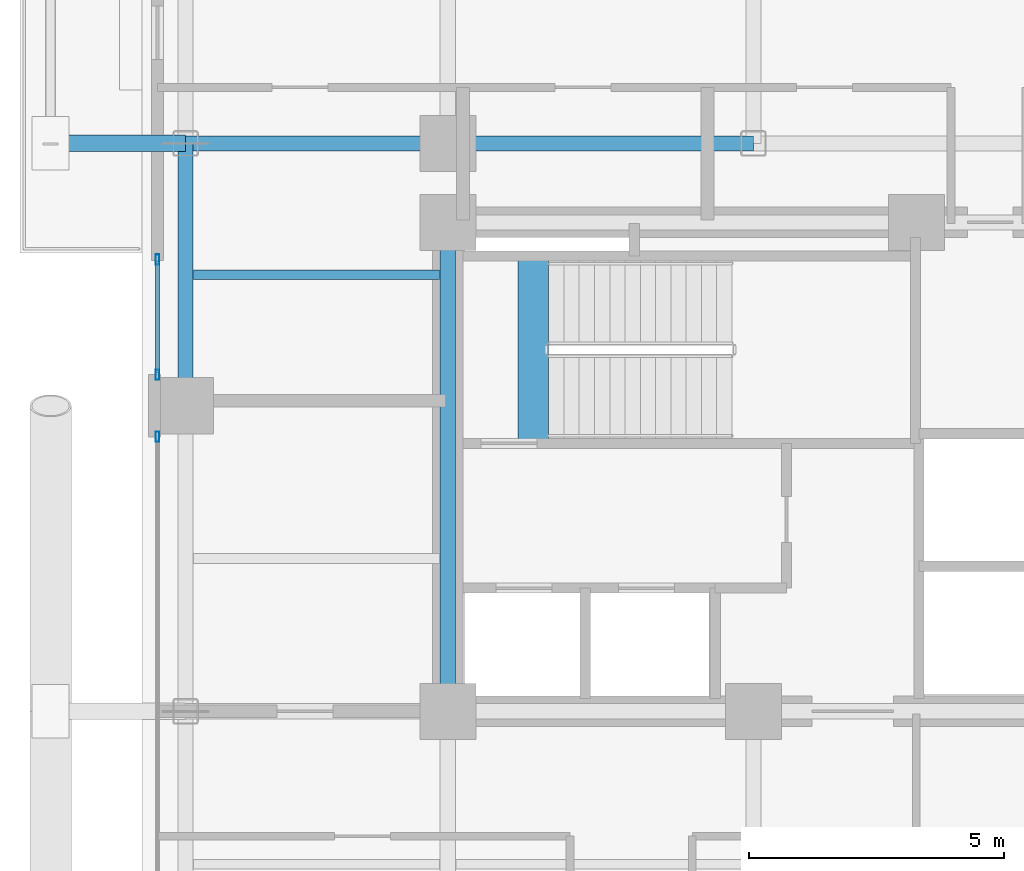
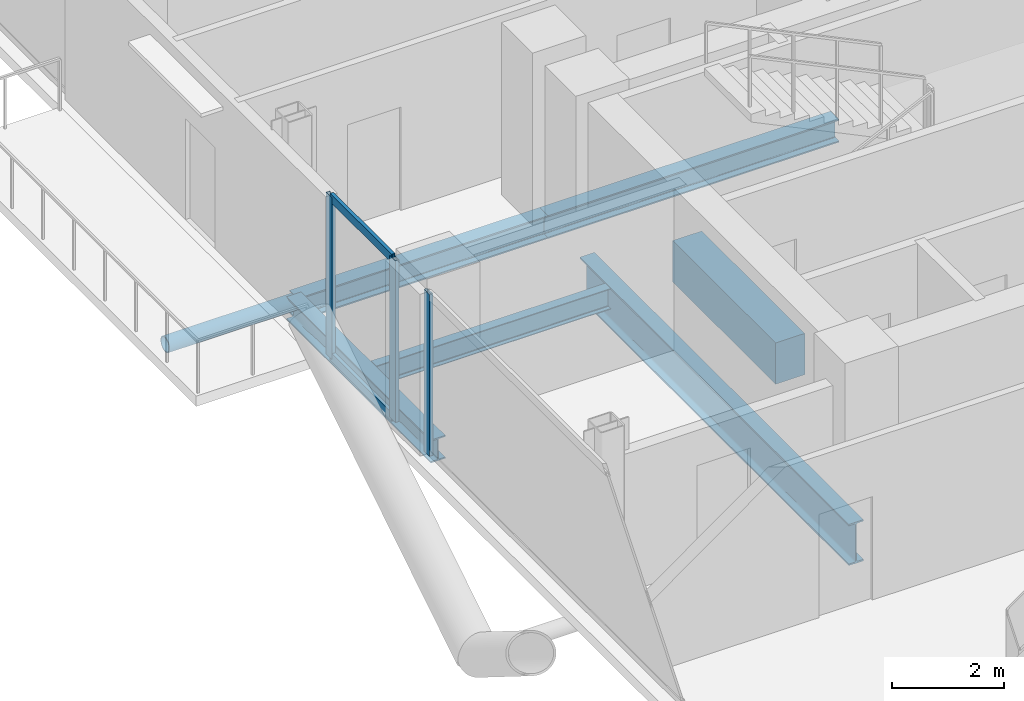
# One storey, part 7 of 28: 6 beams, 6 members, 2 elements without a shape of their own.
"""IFC4 building model written with IfcOpenShell, lengths in metres."""

from ifc_helpers import new_model, si_unit, direction, frame, origin, origin_2d, place, context, subcontext, project, spatial, rectangle, hollow_rectangle, hollow_circle, i_section, extrude, material, layer, layer_set, material_profile, profile_set, type_object, element, aggregate, save


model = new_model("IFC4")

# Units and contexts
model_context = context("Model", 3, precision=1e-05, world=origin(), true_north=direction((0.0, 1.0)))
body_context = subcontext(model_context, "Body", "Model", "MODEL_VIEW")
ifc_project = project(units=[si_unit("LENGTHUNIT", "METRE"), si_unit("AREAUNIT", "SQUARE_METRE"), si_unit("VOLUMEUNIT", "CUBIC_METRE"), si_unit("PLANEANGLEUNIT", "RADIAN"), si_unit("MASSUNIT", "GRAM", prefix="KILO"), si_unit("THERMODYNAMICTEMPERATUREUNIT", "KELVIN"), si_unit("POWERUNIT", "WATT")], contexts=[model_context])

# Site, building, storey
site_placement = place(None, origin())
site = spatial("IfcSite", under=ifc_project, at=site_placement, CompositionType="ELEMENT")
building_placement = place(site_placement, origin())
building = spatial("IfcBuilding", under=site, at=building_placement, Name="Svarakhadi Broadcast Tower", CompositionType="ELEMENT")
storey_placement = place(building_placement, frame((0.0, 0.0, 134.39990234375)))
storey = spatial("IfcBuildingStorey", under=building, at=storey_placement, Name="L32", CompositionType="ELEMENT", Elevation=134.39990234375)

# Beam
ifc_material_1 = material(Name="Steel S355J2 (IS 2062 E350C)", Category="steel")
ifc_material_profile_1 = material_profile(ifc_material_1, i_section(OverallWidth=0.18994140625, OverallDepth=0.449951171875, WebThickness=0.009521484375, FlangeThickness=0.0146484375, FilletRadius=0.02099609375, at=origin_2d()), Name="NPB 450x190x78")
ifc_profile_set_1 = profile_set([ifc_material_profile_1], Name="Steel S355J2 (IS 2062 E350C)")
beam_type_1 = type_object("IfcBeamType", Name="Beam_NPB450", PredefinedType="BEAM", material=ifc_profile_set_1)
beam_1_placement = place(storey_placement, frame((1.010009765625, 26.574951171875, -0.449951171875), z_axis=(1.0, 0.0, 0.0), x_axis=(0.0, 1.0, 0.0)))
element("IfcBeam", 1, at=beam_1_placement, inside=storey, type_object=beam_type_1, Name="L32 Secondary Composite Beam SB004", PredefinedType="BEAM", context=body_context, shape_type="SweptSolid", body=[
    extrude(i_section(OverallWidth=0.18994140625, OverallDepth=0.449951171875, WebThickness=0.009521484375, FlangeThickness=0.0146484375, FilletRadius=0.02099609375, at=origin_2d()), origin(), (0.0, 0.0, 1.0), 4.830078125),
])

# Curtain wall, member
ifc_material_2 = material(Name="Anodised Bronze Aluminium AA 6063-T6", Category="aluminium")
ifc_layer = layer(ifc_material_2, 0.199951171875)
ifc_layer_set = layer_set([ifc_layer], Name="Anodised Bronze Aluminium AA 6063-T6")
curtain_wall_type = type_object("IfcCurtainWallType", Name="CW_Sys_03", PredefinedType="NOTDEFINED", material=ifc_layer_set)
curtain_wall_1_placement = place(storey_placement, origin())
curtain_wall_1 = element("IfcCurtainWall", 2, at=curtain_wall_1_placement, inside=storey, type_object=curtain_wall_type, Name="L32 West Curtain Wall 02 Bay 2", PredefinedType="NOTDEFINED")
ifc_material_profile_2 = material_profile(ifc_material_2, hollow_rectangle(XDim=0.074951171875, YDim=0.199951171875, WallThickness=0.005615234375, at=origin_2d()), Name="ALU MULLION 200x75x6")
ifc_profile_set_2 = profile_set([ifc_material_profile_2], Name="Anodised Bronze Aluminium AA 6063-T6")
member_type_1 = type_object("IfcMemberType", Name="CW_Sys_03_Mul", PredefinedType="MULLION", material=ifc_profile_set_2)
member_1_placement = place(storey_placement, frame((0.300048828125, 23.392578125, 0.0), z_axis=(0.0, 0.0, 1.0), x_axis=(-1.0, 0.0, 0.0)))
member_1 = element("IfcMember", 3, at=member_1_placement, type_object=member_type_1, Name="CW-03 mullion 2", PredefinedType="MULLION", context=body_context, shape_type="SweptSolid", body=[
    extrude(hollow_rectangle(XDim=0.074951171875, YDim=0.199951171875, WallThickness=0.005615234375, at=origin_2d()), origin(), (0.0, 0.0, 1.0), 3.525146484375),
])
aggregate(curtain_wall_1, [member_1])

# Curtain wall, members
curtain_wall_2_placement = place(storey_placement, origin())
curtain_wall_2 = element("IfcCurtainWall", 4, at=curtain_wall_2_placement, inside=storey, type_object=curtain_wall_type, Name="L32 West Curtain Wall 02 Bay 3", PredefinedType="NOTDEFINED")
member_2_placement = place(storey_placement, frame((0.300048828125, 24.607421875, 0.0), z_axis=(0.0, 0.0, 1.0), x_axis=(-1.0, 0.0, 0.0)))
member_2 = element("IfcMember", 5, at=member_2_placement, type_object=member_type_1, Name="CW-03 mullion 1", PredefinedType="MULLION", context=body_context, shape_type="SweptSolid", body=[
    extrude(hollow_rectangle(XDim=0.074951171875, YDim=0.199951171875, WallThickness=0.005615234375, at=origin_2d()), origin(), (0.0, 0.0, 1.0), 3.525146484375),
])
member_3_placement = place(storey_placement, frame((0.300048828125, 26.87255859375, 0.0), z_axis=(0.0, 0.0, 1.0), x_axis=(-1.0, 0.0, 0.0)))
member_3 = element("IfcMember", 6, at=member_3_placement, type_object=member_type_1, Name="CW-03 mullion 2", PredefinedType="MULLION", context=body_context, shape_type="SweptSolid", body=[
    extrude(hollow_rectangle(XDim=0.074951171875, YDim=0.199951171875, WallThickness=0.005615234375, at=origin_2d()), origin(), (0.0, 0.0, 1.0), 3.525146484375),
])
ifc_material_profile_3 = material_profile(ifc_material_2, hollow_rectangle(XDim=0.070068359375, YDim=0.18505859375, WallThickness=0.0048828125, at=origin_2d()), Name="ALU TRANSOM 185x70x5")
ifc_profile_set_3 = profile_set([ifc_material_profile_3], Name="Anodised Bronze Aluminium AA 6063-T6")
member_type_2 = type_object("IfcMemberType", Name="CW_Sys_03_Trn", PredefinedType="USERDEFINED", material=ifc_profile_set_3)
member_4_placement = place(storey_placement, frame((0.300048828125, 24.64501953125, 0.03515625), z_axis=(0.0, 1.0, 0.0), x_axis=(-1.0, 0.0, 0.0)))
member_4 = element("IfcMember", 7, at=member_4_placement, type_object=member_type_2, Name="CW-03 transom 1.1", ObjectType="TRANSOM", PredefinedType="USERDEFINED", context=body_context, shape_type="SweptSolid", body=[
    extrude(hollow_rectangle(XDim=0.070068359375, YDim=0.18505859375, WallThickness=0.0048828125, at=origin_2d()), origin(), (0.0, 0.0, 1.0), 2.18994140625),
])
member_5_placement = place(storey_placement, frame((0.300048828125, 24.64501953125, 3.489990234375), z_axis=(0.0, 1.0, 0.0), x_axis=(-1.0, 0.0, 0.0)))
member_5 = element("IfcMember", 8, at=member_5_placement, type_object=member_type_2, Name="CW-03 transom 1.2", ObjectType="TRANSOM", PredefinedType="USERDEFINED", context=body_context, shape_type="SweptSolid", body=[
    extrude(hollow_rectangle(XDim=0.070068359375, YDim=0.18505859375, WallThickness=0.0048828125, at=origin_2d()), origin(), (0.0, 0.0, 1.0), 2.18994140625),
])
aggregate(curtain_wall_2, [member_2, member_3, member_4, member_5])

# Beam
ifc_material_3 = material(Name="Concrete C50/60 (IS 456 M60)", Category="concrete")
ifc_material_profile_4 = material_profile(ifc_material_3, rectangle(XDim=0.60009765625, YDim=0.89990234375, at=origin_2d()), Name="RC 600x900")
ifc_profile_set_4 = profile_set([ifc_material_profile_4], Name="Concrete C50/60 (IS 456 M60)")
beam_type_2 = type_object("IfcBeamType", Name="Coupling_RC600", PredefinedType="USERDEFINED", material=ifc_profile_set_4)
beam_2_placement = place(storey_placement, frame((7.679931640625, 23.260009765625, -0.449951171875), z_axis=(0.0, 1.0, 0.0), x_axis=(-1.0, 0.0, 0.0)))
element("IfcBeam", 9, at=beam_2_placement, inside=storey, type_object=beam_type_2, Name="L32 Stair ST-01 Landing Throat Trimmer Beam CB-01", ObjectType="GIRDER", PredefinedType="USERDEFINED", context=body_context, shape_type="SweptSolid", body=[
    extrude(rectangle(XDim=0.60009765625, YDim=0.89990234375, at=origin_2d()), origin(), (0.0, 0.0, 1.0), 3.679931640625),
])

# Member
ifc_material_4 = material(Name="Steel S460ML (IS 2062 E450BR)", Category="steel")
ifc_material_profile_5 = material_profile(ifc_material_4, hollow_circle(Radius=0.161865234375, WallThickness=0.01611328125, at=origin_2d()), Name="CHS 323.9x16")
ifc_profile_set_5 = profile_set([ifc_material_profile_5], Name="Steel S460ML (IS 2062 E450BR)")
member_type_3 = type_object("IfcMemberType", Name="Exo_Radial_Strut_Z2", PredefinedType="STRUT", material=ifc_profile_set_5)
member_6_placement = place(storey_placement, frame((-1.800048828125, 29.14990234375, -0.386962890625), z_axis=(1.0, 0.0, 0.0), x_axis=(0.0, 1.0, 0.0)))
element("IfcMember", 10, at=member_6_placement, inside=storey, type_object=member_type_3, Name="L32 Exoskeleton Radial Tie Strut W07", PredefinedType="STRUT", context=body_context, shape_type="SweptSolid", body=[
    extrude(hollow_circle(Radius=0.161865234375, WallThickness=0.01611328125, at=origin_2d()), origin(), (0.0, 0.0, 1.0), 2.650146484375),
])

# Beams
ifc_material_profile_6 = material_profile(ifc_material_1, i_section(OverallWidth=0.300048828125, OverallDepth=0.5, WebThickness=0.014404296875, FlangeThickness=0.028076171875, FilletRadius=0.027099609375, at=origin_2d()), Name="WPB 500x300x187")
ifc_profile_set_6 = profile_set([ifc_material_profile_6], Name="Steel S355J2 (IS 2062 E350C)")
beam_type_3 = type_object("IfcBeamType", Name="Girder_WPB500", PredefinedType="USERDEFINED", material=ifc_profile_set_6)
beam_3_placement = place(storey_placement, frame((0.85009765625, 29.14990234375, -0.474853515625), z_axis=(1.0, 0.0, 0.0), x_axis=(0.0, 1.0, 0.0)))
element("IfcBeam", 11, at=beam_3_placement, inside=storey, type_object=beam_type_3, Name="L32 Primary E-W Girder G032", ObjectType="GIRDER", PredefinedType="USERDEFINED", context=body_context, shape_type="SweptSolid", body=[
    extrude(i_section(OverallWidth=0.300048828125, OverallDepth=0.5, WebThickness=0.014404296875, FlangeThickness=0.028076171875, FilletRadius=0.027099609375, at=origin_2d()), origin(), (0.0, 0.0, 1.0), 5.14990234375),
])
beam_4_placement = place(storey_placement, frame((6.0, 29.14990234375, -0.474853515625), z_axis=(1.0, 0.0, 0.0), x_axis=(0.0, 1.0, 0.0)))
element("IfcBeam", 12, at=beam_4_placement, inside=storey, type_object=beam_type_3, Name="L32 Primary E-W Girder G033", ObjectType="GIRDER", PredefinedType="USERDEFINED", context=body_context, shape_type="SweptSolid", body=[
    extrude(i_section(OverallWidth=0.300048828125, OverallDepth=0.5, WebThickness=0.014404296875, FlangeThickness=0.028076171875, FilletRadius=0.027099609375, at=origin_2d()), origin(), (0.0, 0.0, 1.0), 6.0),
])
beam_5_placement = place(storey_placement, frame((0.85009765625, 24.0, -0.474853515625), z_axis=(0.0, 1.0, 0.0), x_axis=(-1.0, 0.0, 0.0)))
element("IfcBeam", 13, at=beam_5_placement, inside=storey, type_object=beam_type_3, Name="L32 Primary N-S Girder G043", ObjectType="GIRDER", PredefinedType="USERDEFINED", context=body_context, shape_type="SweptSolid", body=[
    extrude(i_section(OverallWidth=0.300048828125, OverallDepth=0.5, WebThickness=0.014404296875, FlangeThickness=0.028076171875, FilletRadius=0.027099609375, at=origin_2d()), origin(), (0.0, 0.0, 1.0), 5.14990234375),
])
ifc_material_profile_7 = material_profile(ifc_material_4, i_section(OverallWidth=0.300048828125, OverallDepth=0.89990234375, WebThickness=0.0185546875, FlangeThickness=0.034912109375, FilletRadius=0.030029296875, at=origin_2d()), Name="WPB 900x300x291")
ifc_profile_set_7 = profile_set([ifc_material_profile_7], Name="Steel S460ML (IS 2062 E450BR)")
beam_type_4 = type_object("IfcBeamType", Name="Girder_WPB900", PredefinedType="USERDEFINED", material=ifc_profile_set_7)
beam_6_placement = place(storey_placement, frame((6.0, 18.0, -0.6748046875), z_axis=(0.0, 1.0, 0.0), x_axis=(-1.0, 0.0, 0.0)))
element("IfcBeam", 14, at=beam_6_placement, inside=storey, type_object=beam_type_4, Name="L32 Primary N-S Girder G048", ObjectType="GIRDER", PredefinedType="USERDEFINED", context=body_context, shape_type="SweptSolid", body=[
    extrude(i_section(OverallWidth=0.300048828125, OverallDepth=0.89990234375, WebThickness=0.0185546875, FlangeThickness=0.034912109375, FilletRadius=0.030029296875, at=origin_2d()), origin(), (0.0, 0.0, 1.0), 9.60009765625),
])

save(model, "model.ifc")
